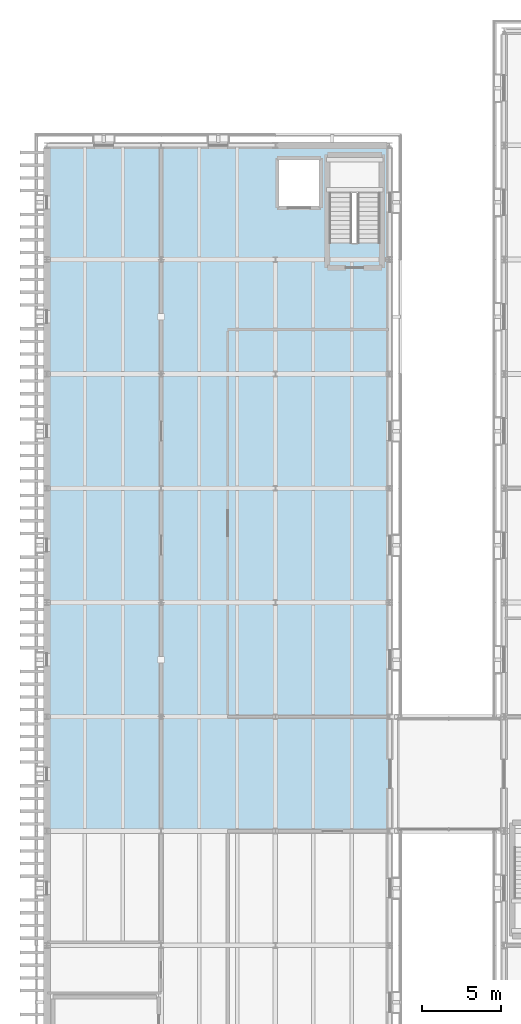
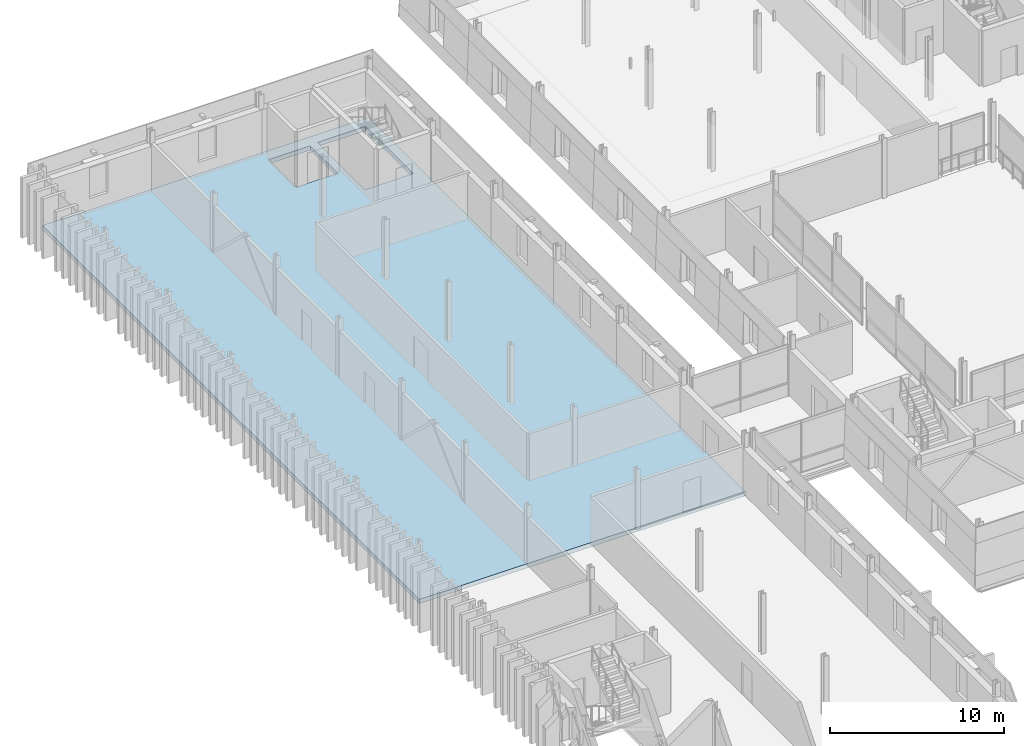
# One storey, part 52 of 115: 1 slab.
"""IFC4 building model written with IfcOpenShell, lengths in metres."""

from ifc_helpers import new_model, si_unit, direction, frame, origin, place, context, subcontext, project, spatial, polyline, outline, extrude, material, layer, layer_set, type_object, element, save


model = new_model("IFC4")

# Units and contexts
model_context = context("Model", 3, precision=1e-05, world=origin(), true_north=direction((0.0, 1.0)))
body_context = subcontext(model_context, "Body", "Model", "MODEL_VIEW")
ifc_project = project(units=[si_unit("LENGTHUNIT", "METRE"), si_unit("AREAUNIT", "SQUARE_METRE"), si_unit("VOLUMEUNIT", "CUBIC_METRE"), si_unit("PLANEANGLEUNIT", "RADIAN"), si_unit("MASSUNIT", "GRAM", prefix="KILO")], contexts=[model_context])

# Site, building, storey
site_placement = place(None, origin())
site = spatial("IfcSite", under=ifc_project, at=site_placement, CompositionType="ELEMENT")
building_placement = place(site_placement, origin())
building = spatial("IfcBuilding", under=site, at=building_placement, Name="Narikvali Park Central Library", CompositionType="ELEMENT")
storey_placement = place(building_placement, frame((0.0, 0.0, 10.199951171875)))
storey = spatial("IfcBuildingStorey", under=building, at=storey_placement, Name="L02", CompositionType="ELEMENT", Elevation=10.199951171875)

# Slab
ifc_material = material(Name="Concrete C40/50", Category="concrete")
ifc_layer = layer(ifc_material, 0.300048828125, Name="Concrete C40/50")
ifc_layer_set = layer_set([ifc_layer], Name="Concrete C40/50")
slab_type = type_object("IfcSlabType", Name="Heavy Stack Composite Slab 300", PredefinedType="FLOOR", material=ifc_layer_set)
slab_placement = place(storey_placement, frame((0.0, 0.0, -0.300048828125)))
element("IfcSlab", 1, at=slab_placement, inside=storey, type_object=slab_type, Name="V5 L02 Structural Slab Panel 2", PredefinedType="FLOOR", context=body_context, shape_type="SweptSolid", body=[
    extrude(outline(polyline([(0.0, 64.800048828125), (21.60009765625, 64.800048828125), (21.60009765625, 108.0), (0.0, 108.0), (0.0, 64.800048828125)]), holes=[polyline([(17.800048828125, 101.85009765625), (21.0, 101.85009765625), (21.0, 107.300048828125), (17.800048828125, 107.300048828125), (17.800048828125, 101.85009765625)]), polyline([(14.52001953125, 104.050048828125), (17.27001953125, 104.050048828125), (17.27001953125, 107.199951171875), (14.52001953125, 107.199951171875), (14.52001953125, 104.050048828125)])]), origin(), (0.0, 0.0, 1.0), 0.300048828125),
])

save(model, "model.ifc")
